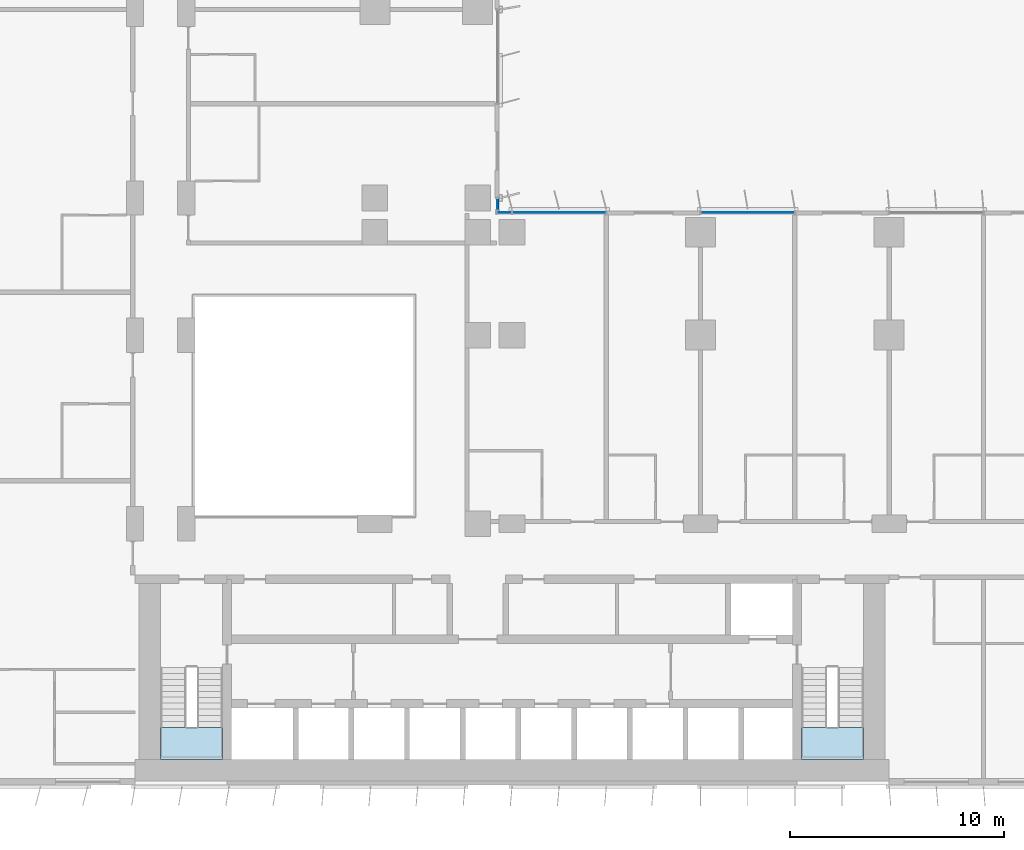
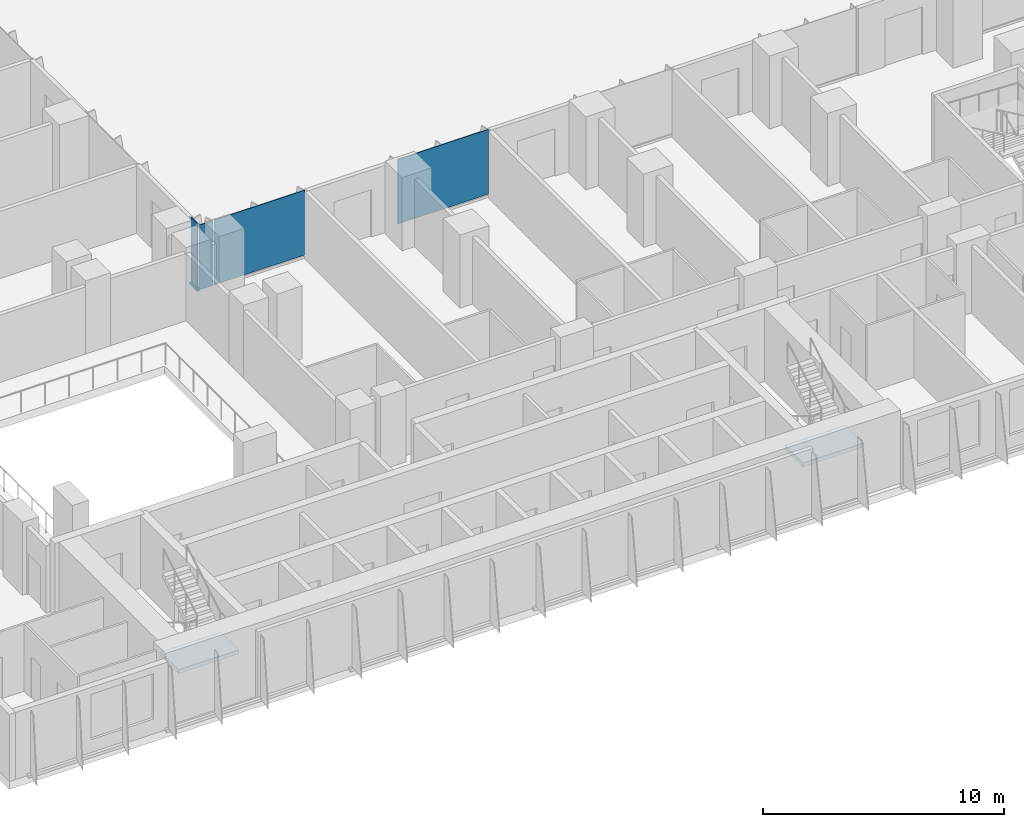
# One storey, part 8 of 23: 4 plates, 2 slabs, 1 member, 5 elements without a shape of their own.
"""IFC4 building model written with IfcOpenShell, lengths in metres."""

from ifc_helpers import new_model, si_unit, direction, frame, origin, origin_2d, place, context, subcontext, project, spatial, polyline, rectangle, outline, extrude, source, transform, mapped, material, layer, layer_set, material_profile, profile_set, type_object, element, aggregate, save


model = new_model("IFC4")

# Units and contexts
model_context = context("Model", 3, precision=1e-05, world=origin(), true_north=direction((0.0, 1.0)))
body_context = subcontext(model_context, "Body", "Model", "MODEL_VIEW")
ifc_project = project(units=[si_unit("LENGTHUNIT", "METRE"), si_unit("AREAUNIT", "SQUARE_METRE"), si_unit("VOLUMEUNIT", "CUBIC_METRE"), si_unit("PLANEANGLEUNIT", "RADIAN"), si_unit("MASSUNIT", "GRAM", prefix="KILO")], contexts=[model_context])

# Site, building, storey
site_placement = place(None, origin())
site = spatial("IfcSite", under=ifc_project, at=site_placement, CompositionType="ELEMENT")
building_placement = place(site_placement, origin())
building = spatial("IfcBuilding", under=site, at=building_placement, Name="Kemantara Hotel Tower", CompositionType="ELEMENT")
storey_placement = place(building_placement, frame((0.0, 0.0, 34.0)))
storey = spatial("IfcBuildingStorey", under=building, at=storey_placement, Name="L06", CompositionType="ELEMENT", Elevation=34.0)

# Curtain wall, member
ifc_material_1 = material(Name="Toughened tinted glass 32 mm", Category="glass")
curtain_wall_type = type_object("IfcCurtainWallType", Name="TERRACE GLAZING WALL", PredefinedType="USERDEFINED", material=ifc_material_1)
curtain_wall_1_placement = place(storey_placement, origin())
curtain_wall_1 = element("IfcCurtainWall", 1, at=curtain_wall_1_placement, inside=storey, type_object=curtain_wall_type, Name="CW6 L06 T1-R08-1", ObjectType="TERRACE GLAZING WALL", PredefinedType="USERDEFINED")
ifc_material_2 = material(Name="Aluminium 6063-T6 bronze anodised", Category="aluminium")
ifc_material_profile = material_profile(ifc_material_2, rectangle(XDim=0.14990234375, YDim=0.1201171875, at=origin_2d()), Name="TERRACE GLAZING WALL TRANSOM")
ifc_profile_set = profile_set([ifc_material_profile], Name="Aluminium 6063-T6 bronze anodised")
member_type = type_object("IfcMemberType", Name="TERRACE GLAZING WALL TRANSOM", PredefinedType="USERDEFINED", material=ifc_profile_set)
member_placement = place(storey_placement, frame((26.72509765625, 26.800048828125, 0.06005859375), z_axis=(0.0, 1.0, 0.0), x_axis=(-1.0, 0.0, 0.0)))
member = element("IfcMember", 2, at=member_placement, type_object=member_type, Name="CW6 sill transom T1-R08-1", ObjectType="TRANSOM", PredefinedType="USERDEFINED", context=body_context, shape_type="SweptSolid", body=[
    extrude(rectangle(XDim=0.14990234375, YDim=0.1201171875, at=origin_2d()), origin(), (0.0, 0.0, 1.0), 0.599853515625),
])

# Stair, slab
ifc_material_3 = material(Name="Concrete fc 40 MPa", Category="concrete")
stair_type = type_object("IfcStairType", Name="Stair 1200 wide 22 risers of 168 x 280 mm", PredefinedType="HALF_TURN_STAIR", material=ifc_material_3)
stair_1_placement = place(storey_placement, origin())
stair_1 = element("IfcStair", 3, at=stair_1_placement, inside=storey, type_object=stair_type, Name="L06 Exit stair ST1", PredefinedType="HALF_TURN_STAIR")
ifc_layer_1 = layer(ifc_material_3, 0.199951171875)
ifc_layer_set_1 = layer_set([ifc_layer_1], Name="Concrete fc 40 MPa")
slab_type = type_object("IfcSlabType", Name="Stair landing 200 mm", PredefinedType="LANDING", material=ifc_layer_set_1)
slab_1_placement = place(storey_placement, frame((0.0, 0.0, 1.64990234375)))
slab_1 = element("IfcSlab", 4, at=slab_1_placement, type_object=slab_type, Name="ST1 landing 1", PredefinedType="LANDING", context=body_context, shape_type="SweptSolid", body=[
    extrude(outline(polyline([(11.0, 2.699951171875), (11.0, 1.199951171875), (13.89990234375, 1.199951171875), (13.89990234375, 2.699951171875), (11.0, 2.699951171875)])), origin(), (0.0, 0.0, 1.0), 0.2001953125),
])
aggregate(stair_1, [slab_1])

stair_2_placement = place(storey_placement, origin())
stair_2 = element("IfcStair", 5, at=stair_2_placement, inside=storey, type_object=stair_type, Name="L06 Exit stair ST2", PredefinedType="HALF_TURN_STAIR")
slab_2_placement = place(storey_placement, frame((0.0, 0.0, 1.64990234375)))
slab_2 = element("IfcSlab", 6, at=slab_2_placement, type_object=slab_type, Name="ST2 landing 1", PredefinedType="LANDING", context=body_context, shape_type="SweptSolid", body=[
    extrude(outline(polyline([(40.89990234375, 2.699951171875), (40.89990234375, 1.199951171875), (43.800048828125, 1.199951171875), (43.800048828125, 2.699951171875), (40.89990234375, 2.699951171875)])), origin(), (0.0, 0.0, 1.0), 0.2001953125),
])
aggregate(stair_2, [slab_2])

# Curtain wall, plate
curtain_wall_2_placement = place(storey_placement, origin())
curtain_wall_2 = element("IfcCurtainWall", 7, at=curtain_wall_2_placement, inside=storey, type_object=curtain_wall_type, Name="CW6 L06 T1-R07-4", ObjectType="TERRACE GLAZING WALL", PredefinedType="USERDEFINED")
ifc_layer_2 = layer(ifc_material_1, 0.031982421875)
ifc_layer_set_2 = layer_set([ifc_layer_2], Name="Toughened tinted glass 32 mm")
plate_type = type_object("IfcPlateType", Name="TERRACE GLAZING WALL PANEL", PredefinedType="CURTAIN_PANEL", material=ifc_layer_set_2)
shared_shape_1 = source(origin(), body_context, "Body", "SweptSolid", [
    extrude(rectangle(XDim=4.340087890625, YDim=0.031982421875, at=origin_2d()), origin(), (0.0, 0.0, 1.0), 3.280029296875),
])
plate_1_placement = place(storey_placement, frame((38.39990234375, 26.72509765625, 0.1201171875), z_axis=(0.0, 0.0, 1.0), x_axis=(-1.0, 0.0, 0.0)))
plate_1 = element("IfcPlate", 8, at=plate_1_placement, type_object=plate_type, Name="CW6 glass panel T1-R07-4.1", PredefinedType="CURTAIN_PANEL", context=body_context, shape_type="MappedRepresentation", body=[
    mapped(shared_shape_1, transform((0.0, 0.0, 0.0))),
])
aggregate(curtain_wall_2, [plate_1])

# Curtain wall, plates
curtain_wall_3_placement = place(storey_placement, origin())
curtain_wall_3 = element("IfcCurtainWall", 9, at=curtain_wall_3_placement, inside=storey, type_object=curtain_wall_type, Name="CW6 L06 T1-R07-5", ObjectType="TERRACE GLAZING WALL", PredefinedType="USERDEFINED")
plate_2_placement = place(storey_placement, frame((29.60009765625, 26.72509765625, 0.1201171875), z_axis=(0.0, 0.0, 1.0), x_axis=(-1.0, 0.0, 0.0)))
plate_2 = element("IfcPlate", 10, at=plate_2_placement, type_object=plate_type, Name="CW6 glass panel T1-R07-5.1", PredefinedType="CURTAIN_PANEL", context=body_context, shape_type="MappedRepresentation", body=[
    mapped(shared_shape_1, transform((0.0, 0.0, 0.0))),
])
shared_shape_2 = source(origin(), body_context, "Body", "SweptSolid", [
    extrude(rectangle(XDim=0.659912109375, YDim=0.031982421875, at=origin_2d()), origin(), (0.0, 0.0, 1.0), 3.280029296875),
])
plate_3_placement = place(storey_placement, frame((27.0400390625, 26.72509765625, 0.1201171875), z_axis=(0.0, 0.0, 1.0), x_axis=(-1.0, 0.0, 0.0)))
plate_3 = element("IfcPlate", 11, at=plate_3_placement, type_object=plate_type, Name="CW6 glass panel T1-R07-5.2", PredefinedType="CURTAIN_PANEL", context=body_context, shape_type="MappedRepresentation", body=[
    mapped(shared_shape_2, transform((0.0, 0.0, 0.0))),
])
aggregate(curtain_wall_3, [plate_2, plate_3])

# Plate
shared_shape_3 = source(origin(), body_context, "Body", "SweptSolid", [
    extrude(rectangle(XDim=0.510009765625, YDim=0.031982421875, at=origin_2d()), origin(), (0.0, 0.0, 1.0), 3.280029296875),
])
plate_4_placement = place(storey_placement, frame((26.72509765625, 27.114990234375, 0.1201171875), z_axis=(0.0, 0.0, 1.0), x_axis=(0.0, 1.0, 0.0)))
plate_4 = element("IfcPlate", 12, at=plate_4_placement, type_object=plate_type, Name="CW6 glass panel T1-R08-1.1", PredefinedType="CURTAIN_PANEL", context=body_context, shape_type="MappedRepresentation", body=[
    mapped(shared_shape_3, transform((0.0, 0.0, 0.0))),
])

aggregate(curtain_wall_1, [member, plate_4])

save(model, "model.ifc")
